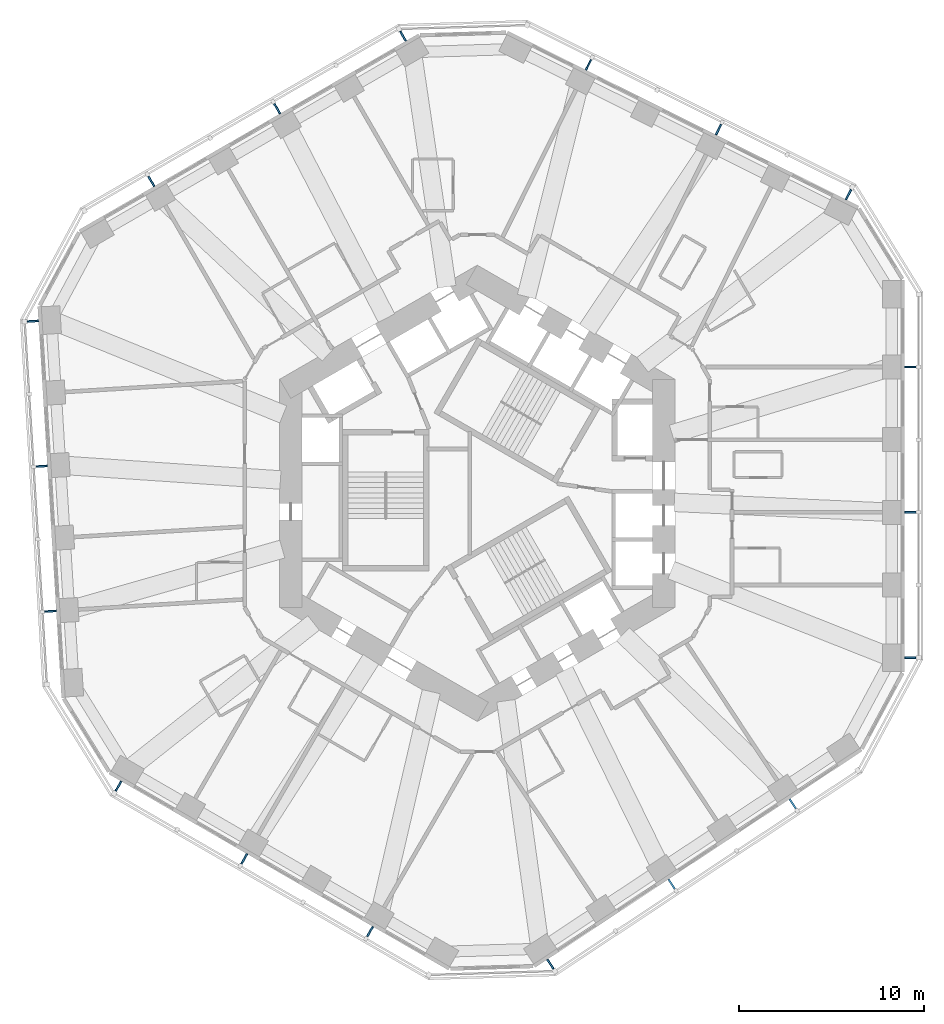
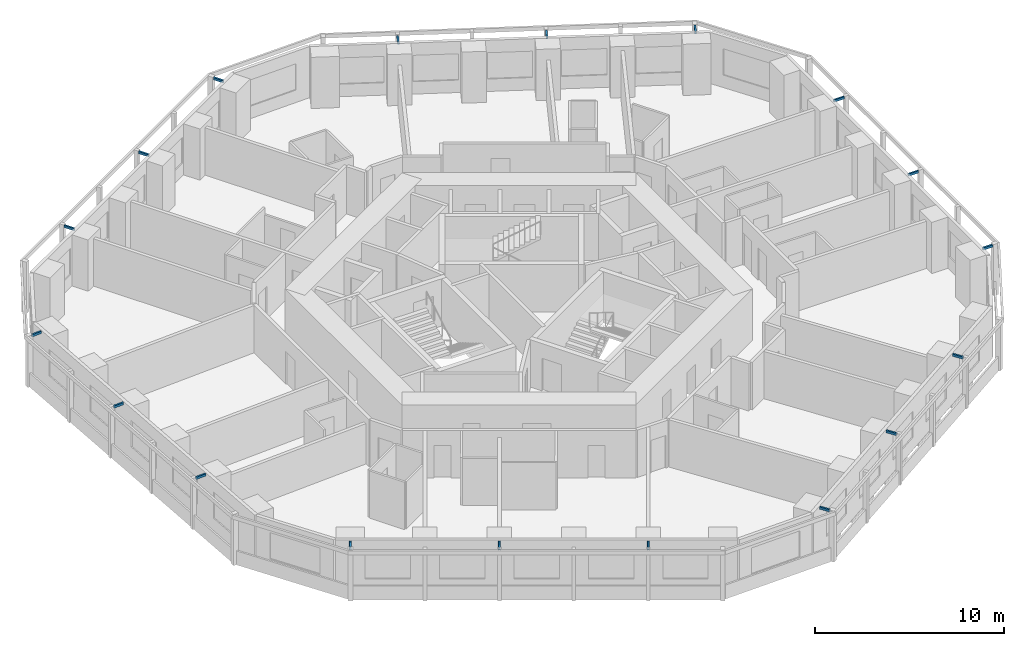
# One storey, part 11 of 12: 18 discrete accessories.
"""IFC4 building model written with IfcOpenShell, lengths in metres."""

from ifc_helpers import new_model, si_unit, direction, frame, origin, origin_2d, place, context, subcontext, project, spatial, rectangle, extrude, material, type_object, element, save


model = new_model("IFC4")

# Units and contexts
model_context = context("Model", 3, precision=1e-05, world=origin(), true_north=direction((0.0, 1.0)))
body_context = subcontext(model_context, "Body", "Model", "MODEL_VIEW")
ifc_project = project(units=[si_unit("LENGTHUNIT", "METRE"), si_unit("AREAUNIT", "SQUARE_METRE"), si_unit("VOLUMEUNIT", "CUBIC_METRE"), si_unit("PLANEANGLEUNIT", "RADIAN"), si_unit("MASSUNIT", "GRAM", prefix="KILO")], contexts=[model_context])

# Site, building, storey
site_placement = place(None, origin())
site = spatial("IfcSite", under=ifc_project, at=site_placement, CompositionType="ELEMENT")
building_placement = place(site_placement, origin())
building = spatial("IfcBuilding", under=site, at=building_placement, Name="Vanh Sen Convention Tower", CompositionType="ELEMENT")
storey_placement = place(building_placement, frame((0.0, 0.0, 44.0)))
storey = spatial("IfcBuildingStorey", under=building, at=storey_placement, Name="L07", CompositionType="ELEMENT", Elevation=44.0)

# Discrete accessories
ifc_material = material(Name="Steel S355", Category="steel")
discrete_accessory_type = type_object("IfcDiscreteAccessoryType", Name="Fin bracket 100 x 150", PredefinedType="BRACKET", material=ifc_material)
discrete_accessory_1_placement = place(storey_placement, frame((23.449951171875, -8.899169921875, 3.10009765625), z_axis=(0.0, 0.0, 1.0), x_axis=(1.0, 0.0, 0.0)))
element("IfcDiscreteAccessory", 1, at=discrete_accessory_1_placement, inside=storey, type_object=discrete_accessory_type, Name="Fin bracket E-1 L07", PredefinedType="BRACKET", context=body_context, shape_type="SweptSolid", body=[
    extrude(rectangle(XDim=0.60009765625, YDim=0.10009765625, at=origin_2d()), origin(), (0.0, 0.0, 1.0), 0.14990234375),
])
for number, where, z_axis, x_axis, name in (
    (2, (23.46240234375, -1.030029296875, 3.10009765625), (0.0, 0.0, 1.0), (1.0, 0.0, 0.0), "Fin bracket E-3 L07"),
    (3, (23.46240234375, 6.839111328125, 3.10009765625), (0.0, 0.0, 1.0), (1.0, 0.0, 0.0), "Fin bracket E-5 L07"),
):
    element("IfcDiscreteAccessory", number, at=place(storey_placement, frame(where, z_axis=z_axis, x_axis=x_axis)), inside=storey, type_object=discrete_accessory_type, Name=name, PredefinedType="BRACKET", context=body_context, shape_type="SweptSolid", body=[
        extrude(rectangle(XDim=0.625, YDim=0.10009765625, at=origin_2d()), origin(), (0.0, 0.0, 1.0), 0.14990234375),
    ])
discrete_accessory_2_placement = place(storey_placement, frame((20.10498046875, 16.178955078125, 3.10009765625), z_axis=(0.0, 0.0, 1.0), x_axis=(0.44619781311, 0.894934361602, 0.0)))
element("IfcDiscreteAccessory", 4, at=discrete_accessory_2_placement, inside=storey, type_object=discrete_accessory_type, Name="Fin bracket NE-1 L07", PredefinedType="BRACKET", context=body_context, shape_type="SweptSolid", body=[
    extrude(rectangle(XDim=0.60009765625, YDim=0.10009765625, at=origin_2d()), origin(), (0.0, 0.0, 1.0), 0.14990234375),
])
for number, where, z_axis, x_axis, name in (
    (5, (13.068359375, 19.701416015625, 3.10009765625), (0.0, 0.0, 1.0), (0.44619781311, 0.894934361602, 0.0), "Fin bracket NE-3 L07"),
    (6, (6.02587890625, 23.212646484375, 3.10009765625), (0.0, 0.0, 1.0), (0.44619781311, 0.894934361602, 0.0), "Fin bracket NE-5 L07"),
):
    element("IfcDiscreteAccessory", number, at=place(storey_placement, frame(where, z_axis=z_axis, x_axis=x_axis)), inside=storey, type_object=discrete_accessory_type, Name=name, PredefinedType="BRACKET", context=body_context, shape_type="SweptSolid", body=[
        extrude(rectangle(XDim=0.625, YDim=0.10009765625, at=origin_2d()), origin(), (0.0, 0.0, 1.0), 0.14990234375),
    ])
discrete_accessory_3_placement = place(storey_placement, frame((-4.01806640625, 24.7578125, 3.10009765625), z_axis=(0.0, 0.0, 1.0), x_axis=(-0.5, 0.866025403784, 0.0)))
element("IfcDiscreteAccessory", 7, at=discrete_accessory_3_placement, inside=storey, type_object=discrete_accessory_type, Name="Fin bracket NW-1 L07", PredefinedType="BRACKET", context=body_context, shape_type="SweptSolid", body=[
    extrude(rectangle(XDim=0.60009765625, YDim=0.10009765625, at=origin_2d()), origin(), (0.0, 0.0, 1.0), 0.14990234375),
])
for number, where, z_axis, x_axis, name in (
    (8, (-10.839111328125, 20.834228515625, 3.10009765625), (0.0, 0.0, 1.0), (-0.5, 0.866025403784, 0.0), "Fin bracket NW-3 L07"),
    (9, (-17.654296875, 16.899658203125, 3.10009765625), (0.0, 0.0, 1.0), (-0.5, 0.866025403784, 0.0), "Fin bracket NW-5 L07"),
):
    element("IfcDiscreteAccessory", number, at=place(storey_placement, frame(where, z_axis=z_axis, x_axis=x_axis)), inside=storey, type_object=discrete_accessory_type, Name=name, PredefinedType="BRACKET", context=body_context, shape_type="SweptSolid", body=[
        extrude(rectangle(XDim=0.625, YDim=0.10009765625, at=origin_2d()), origin(), (0.0, 0.0, 1.0), 0.14990234375),
    ])
discrete_accessory_4_placement = place(storey_placement, frame((-24.06396484375, 9.322021484375, 3.10009765625), z_axis=(0.0, 0.0, 1.0), x_axis=(-0.998134798422, -0.061048539535, 0.0)))
element("IfcDiscreteAccessory", 10, at=discrete_accessory_4_placement, inside=storey, type_object=discrete_accessory_type, Name="Fin bracket W-1 L07", PredefinedType="BRACKET", context=body_context, shape_type="SweptSolid", body=[
    extrude(rectangle(XDim=0.60009765625, YDim=0.10009765625, at=origin_2d()), origin(), (0.0, 0.0, 1.0), 0.14990234375),
])
for number, where, z_axis, x_axis, name in (
    (11, (-23.595947265625, 1.466796875, 3.10009765625), (0.0, 0.0, 1.0), (-0.998134798422, -0.061048539535, 0.0), "Fin bracket W-3 L07"),
    (12, (-23.115478515625, -6.3876953125, 3.10009765625), (0.0, 0.0, 1.0), (-0.998134798422, -0.061048539535, 0.0), "Fin bracket W-5 L07"),
):
    element("IfcDiscreteAccessory", number, at=place(storey_placement, frame(where, z_axis=z_axis, x_axis=x_axis)), inside=storey, type_object=discrete_accessory_type, Name=name, PredefinedType="BRACKET", context=body_context, shape_type="SweptSolid", body=[
        extrude(rectangle(XDim=0.625, YDim=0.10009765625, at=origin_2d()), origin(), (0.0, 0.0, 1.0), 0.14990234375),
    ])
discrete_accessory_5_placement = place(storey_placement, frame((-19.431884765625, -15.858642578125, 3.10009765625), z_axis=(0.0, 0.0, 1.0), x_axis=(-0.5, -0.866025403784, 0.0)))
element("IfcDiscreteAccessory", 13, at=discrete_accessory_5_placement, inside=storey, type_object=discrete_accessory_type, Name="Fin bracket SW-1 L07", PredefinedType="BRACKET", context=body_context, shape_type="SweptSolid", body=[
    extrude(rectangle(XDim=0.60009765625, YDim=0.10009765625, at=origin_2d()), origin(), (0.0, 0.0, 1.0), 0.14990234375),
])
for number, where, z_axis, x_axis, name in (
    (14, (-12.623291015625, -19.80419921875, 3.10009765625), (0.0, 0.0, 1.0), (-0.5, -0.866025403784, 0.0), "Fin bracket SW-3 L07"),
    (15, (-5.808349609375, -23.73876953125, 3.10009765625), (0.0, 0.0, 1.0), (-0.5, -0.866025403784, 0.0), "Fin bracket SW-5 L07"),
):
    element("IfcDiscreteAccessory", number, at=place(storey_placement, frame(where, z_axis=z_axis, x_axis=x_axis)), inside=storey, type_object=discrete_accessory_type, Name=name, PredefinedType="BRACKET", context=body_context, shape_type="SweptSolid", body=[
        extrude(rectangle(XDim=0.625, YDim=0.10009765625, at=origin_2d()), origin(), (0.0, 0.0, 1.0), 0.14990234375),
    ])
discrete_accessory_6_placement = place(storey_placement, frame((3.958740234375, -25.5009765625, 3.10009765625), z_axis=(0.0, 0.0, 1.0), x_axis=(0.551936985312, -0.833885822067, 0.0)))
element("IfcDiscreteAccessory", 16, at=discrete_accessory_6_placement, inside=storey, type_object=discrete_accessory_type, Name="Fin bracket SE-1 L07", PredefinedType="BRACKET", context=body_context, shape_type="SweptSolid", body=[
    extrude(rectangle(XDim=0.60009765625, YDim=0.10009765625, at=origin_2d()), origin(), (0.0, 0.0, 1.0), 0.14990234375),
])
for number, where, z_axis, x_axis, name in (
    (17, (10.527587890625, -21.168212890625, 3.10009765625), (0.0, 0.0, 1.0), (0.551936985312, -0.833885822067, 0.0), "Fin bracket SE-3 L07"),
    (18, (17.089599609375, -16.824951171875, 3.10009765625), (0.0, 0.0, 1.0), (0.551936985312, -0.833885822067, 0.0), "Fin bracket SE-5 L07"),
):
    element("IfcDiscreteAccessory", number, at=place(storey_placement, frame(where, z_axis=z_axis, x_axis=x_axis)), inside=storey, type_object=discrete_accessory_type, Name=name, PredefinedType="BRACKET", context=body_context, shape_type="SweptSolid", body=[
        extrude(rectangle(XDim=0.625, YDim=0.10009765625, at=origin_2d()), origin(), (0.0, 0.0, 1.0), 0.14990234375),
    ])

save(model, "model.ifc")
